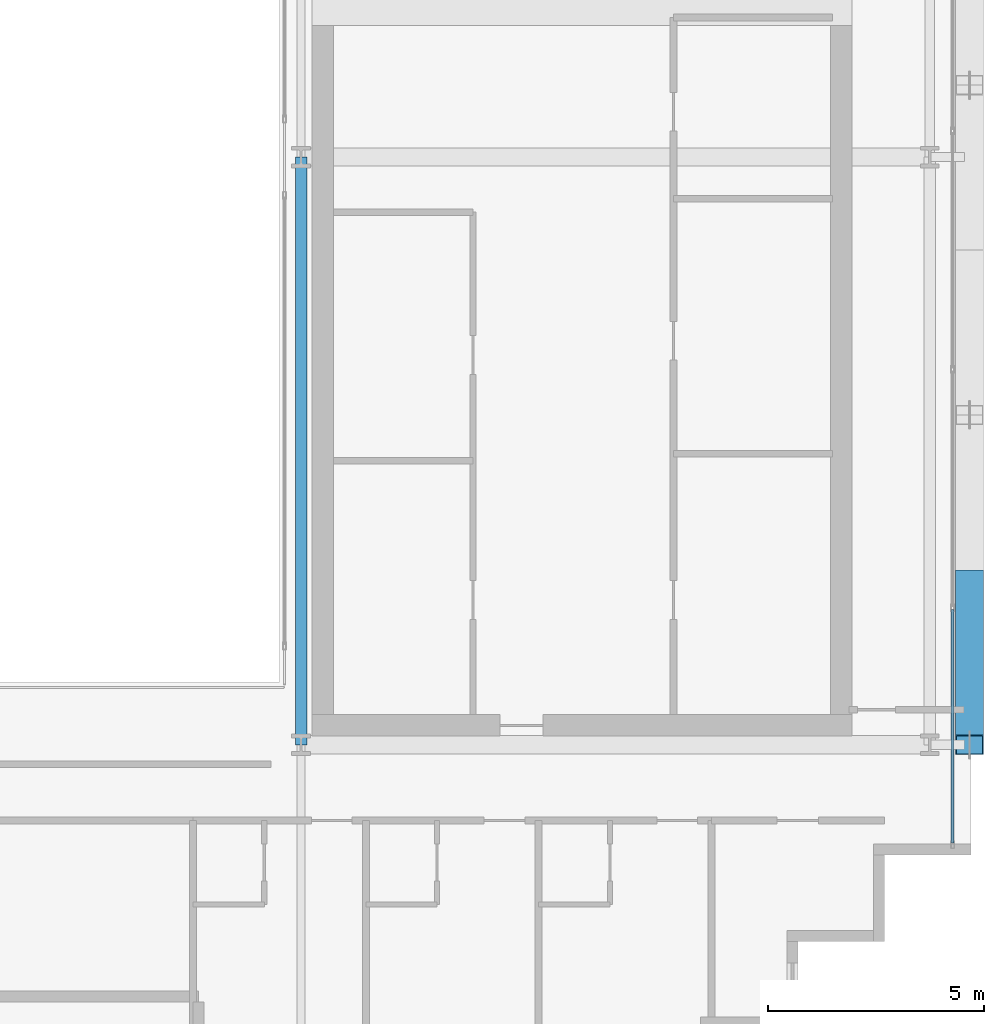
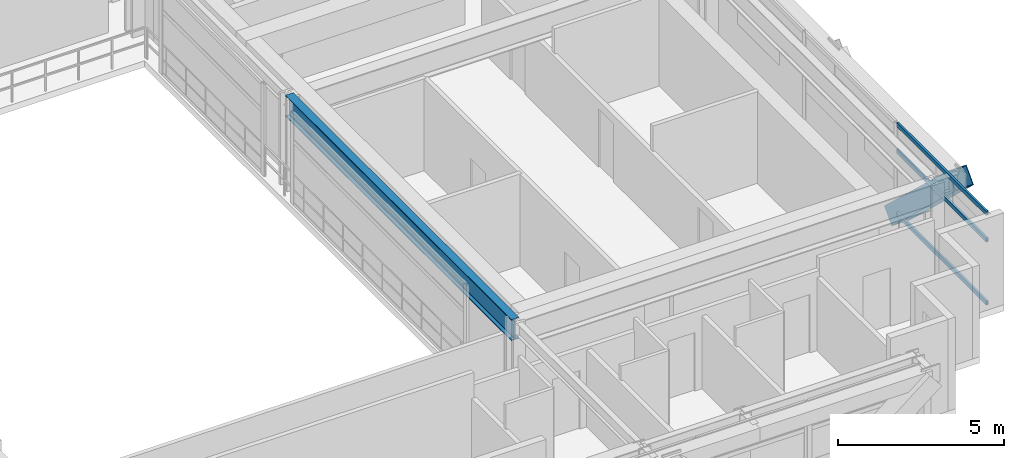
# One storey, part 14 of 38: 4 members, 1 beam, 1 element without a shape of its own.
"""IFC4 building model written with IfcOpenShell, lengths in metres."""

import ifcopenshell
import ifcopenshell.guid

model = None  # the IFC model being written
_history = None  # IfcOwnerHistory: only IFC2X3 demands one
_inside = {}  # id of a spatial element -> (the spatial element, [elements in it])
_under = {}  # id of a project, library or spatial element -> (it, [spatial elements below it])
_declared = {}  # id of a project -> (the project, [libraries it declares])
_typed = {}  # id of a type object -> (the type object, [elements of that type])
_made_of = {}  # id of a material, layer set ... -> (it, [elements and type objects made of it])


def new_model(schema):
    """Start an empty IFC model of exactly this schema.

    Asked for "IFC4X3", IfcOpenShell would pick the latest addendum, in which some entities
    have other attributes; the version numbers below select the first issue.
    IFC2X3 requires an IfcOwnerHistory on every rooted entity: one is made here for all.
    """
    global model, _history
    if schema == "IFC4X3":
        model = ifcopenshell.file(schema_version=(4, 3, 0, 0))
    else:
        model = ifcopenshell.file(schema=schema)
    _inside.clear()
    _under.clear()
    _declared.clear()
    _typed.clear()
    _made_of.clear()
    _history = None
    if model.schema == "IFC2X3":
        org = make("IfcOrganization", Name="unknown")
        user = make(
            "IfcPersonAndOrganization",
            ThePerson=make("IfcPerson", FamilyName="unknown"),
            TheOrganization=org,
        )
        app = make(
            "IfcApplication",
            ApplicationDeveloper=org,
            Version="unknown",
            ApplicationFullName="unknown",
            ApplicationIdentifier="unknown",
        )
        _history = make(
            "IfcOwnerHistory",
            OwningUser=user,
            OwningApplication=app,
            ChangeAction="ADDED",
            CreationDate=0,
        )
    return model


def make(cls, **values):
    """One entity of the class cls with the attributes given. An attribute that is None is left unset."""
    return model.create_entity(
        cls, **{name: value for name, value in values.items() if value is not None}
    )


def rooted(cls, **values):
    """An entity with a GlobalId (a new one), such as an element, a storey or a relation."""
    return make(cls, GlobalId=ifcopenshell.guid.new(), OwnerHistory=_history, **values)


def si_unit(unit_type, name, prefix=None):
    """IfcSIUnit, for example si_unit("LENGTHUNIT", "METRE", prefix="MILLI")."""
    return make("IfcSIUnit", UnitType=unit_type, Prefix=prefix, Name=name)


def assignment(units):
    """IfcUnitAssignment: the units of a project."""
    return None if units is None else make("IfcUnitAssignment", Units=units)


def point(xyz):
    """IfcCartesianPoint."""
    return None if xyz is None else make("IfcCartesianPoint", Coordinates=xyz)


def direction(xyz):
    """IfcDirection."""
    return None if xyz is None else make("IfcDirection", DirectionRatios=xyz)


def frame(location, z_axis=None, x_axis=None):
    """IfcAxis2Placement3D, a coordinate frame: its origin and axes. An axis left out is left unset."""
    return make(
        "IfcAxis2Placement3D",
        Location=point(location),
        Axis=direction(z_axis),
        RefDirection=direction(x_axis),
    )


def frame_2d(location, x_axis=None):
    """IfcAxis2Placement2D, a coordinate frame in the plane: its origin and x axis."""
    return make(
        "IfcAxis2Placement2D", Location=point(location), RefDirection=direction(x_axis)
    )


def origin():
    """The frame at (0, 0, 0) with its axes left unset."""
    return frame((0.0, 0.0, 0.0))


def origin_2d():
    """The frame at (0, 0) in the plane with its x axis left unset."""
    return frame_2d((0.0, 0.0))


def place(relative_to, where):
    """IfcLocalPlacement: puts the frame where relative to a parent placement (None: the world)."""
    return make(
        "IfcLocalPlacement", PlacementRelTo=relative_to, RelativePlacement=where
    )


def context(
    kind, dimensions, precision=None, world=None, true_north=None, identifier=None
):
    """IfcGeometricRepresentationContext, for example the 3D "Model" context."""
    return make(
        "IfcGeometricRepresentationContext",
        ContextIdentifier=identifier,
        ContextType=kind,
        CoordinateSpaceDimension=dimensions,
        Precision=precision,
        WorldCoordinateSystem=world,
        TrueNorth=true_north,
    )


def subcontext(parent, identifier, kind, view, scale=None):
    """IfcGeometricRepresentationSubContext, for example "Body" below "Model"."""
    return make(
        "IfcGeometricRepresentationSubContext",
        ContextIdentifier=identifier,
        ContextType=kind,
        ParentContext=parent,
        TargetScale=scale,
        TargetView=view,
    )


def project(units=None, contexts=None):
    """IfcProject with its units and contexts."""
    return rooted(
        "IfcProject",
        Name="project",
        RepresentationContexts=contexts,
        UnitsInContext=assignment(units),
    )


def spatial(cls, under=None, at=None, **own):
    """A site, building, storey or space (cls), placed at a placement, below another one or the project."""
    s = rooted(cls, ObjectPlacement=at, **own)
    if under is not None:
        _under.setdefault(under.id(), (under, []))[1].append(s)
    return s


def profile(cls, at=None, kind="AREA", **sizes):
    """A parametric profile (cls). Its sizes go by their IFC names, for example OverallWidth=200.0."""
    return make(cls, ProfileType=kind, Position=at, **sizes)


def hollow_rectangle(**sizes):
    """IfcRectangleHollowProfileDef."""
    return profile("IfcRectangleHollowProfileDef", **sizes)


def i_section(**sizes):
    """IfcIShapeProfileDef."""
    return profile("IfcIShapeProfileDef", **sizes)


def extrude(swept, where, along, depth):
    """IfcExtrudedAreaSolid: the profile swept, set in the frame where, extruded along a direction by depth."""
    return make(
        "IfcExtrudedAreaSolid",
        SweptArea=swept,
        Position=where,
        ExtrudedDirection=direction(along),
        Depth=depth,
    )


def shape(context_of_items, identifier, shape_type, items):
    """IfcShapeRepresentation: the items that make up one representation, for example the "Body"."""
    return make(
        "IfcShapeRepresentation",
        ContextOfItems=context_of_items,
        RepresentationIdentifier=identifier,
        RepresentationType=shape_type,
        Items=items,
    )


def source(mapping_origin, context_of_items, identifier, shape_type, items):
    """IfcRepresentationMap: a shape defined once, which mapped items show again and again."""
    return make(
        "IfcRepresentationMap",
        MappingOrigin=mapping_origin,
        MappedRepresentation=shape(context_of_items, identifier, shape_type, items),
    )


def transform(
    local_origin,
    x_axis=None,
    y_axis=None,
    z_axis=None,
    scale=None,
    scale2=None,
    scale3=None,
    uniform=True,
):
    """IfcCartesianTransformationOperator3D, or its non-uniform kind. x_axis, y_axis, z_axis: its Axis1, 2, 3."""
    if uniform:
        return make(
            "IfcCartesianTransformationOperator3D",
            Axis1=direction(x_axis),
            Axis2=direction(y_axis),
            LocalOrigin=point(local_origin),
            Scale=scale,
            Axis3=direction(z_axis),
        )
    return make(
        "IfcCartesianTransformationOperator3DnonUniform",
        Axis1=direction(x_axis),
        Axis2=direction(y_axis),
        LocalOrigin=point(local_origin),
        Scale=scale,
        Axis3=direction(z_axis),
        Scale2=scale2,
        Scale3=scale3,
    )


def mapped(mapping_source, mapping_target):
    """IfcMappedItem: shows the shape of a source again, moved by a transform."""
    return make(
        "IfcMappedItem", MappingSource=mapping_source, MappingTarget=mapping_target
    )


def material(Name=None, Category=None):
    """IfcMaterial."""
    return make("IfcMaterial", Name=Name, Category=Category)


def layer(
    of_material, thickness, ventilated=None, Name=None, Category=None, Priority=None
):
    """IfcMaterialLayer: one layer of a wall or slab, of a material (None: an air gap)."""
    return make(
        "IfcMaterialLayer",
        Material=of_material,
        LayerThickness=thickness,
        IsVentilated=ventilated,
        Name=Name,
        Category=Category,
        Priority=Priority,
    )


def layer_set(layers, Name=None):
    """IfcMaterialLayerSet."""
    return make("IfcMaterialLayerSet", MaterialLayers=layers, LayerSetName=Name)


def material_profile(
    of_material, cross_section, Name=None, Category=None, Priority=None
):
    """IfcMaterialProfile: a cross section and its material."""
    return make(
        "IfcMaterialProfile",
        Name=Name,
        Material=of_material,
        Profile=cross_section,
        Priority=Priority,
        Category=Category,
    )


def profile_set(profiles, Name=None, composite=None):
    """IfcMaterialProfileSet."""
    return make(
        "IfcMaterialProfileSet",
        Name=Name,
        MaterialProfiles=profiles,
        CompositeProfile=composite,
    )


def made_of(thing, what):
    """Note that an element or type object is made of a material, layer set ...; save() writes the relation."""
    if what is not None:
        _made_of.setdefault(what.id(), (what, []))[1].append(thing)
    return thing


def type_object(cls, material=None, **own):
    """A type object (cls), such as IfcWallType, which elements share."""
    return made_of(rooted(cls, **own), material)


def element(
    cls,
    number,
    at=None,
    inside=None,
    cuts=None,
    type_object=None,
    material=None,
    context=None,
    identifier="Body",
    shape_type=None,
    held_by="IfcProductDefinitionShape",
    body=None,
    shapes=None,
    **own,
):
    """One element of the class cls, such as IfcWall. Its Tag is "e" and its number.

    at: its placement. inside: the storey or other place that contains it. cuts: it is an
    opening in that element (IfcRelVoidsElement). A single representation is given by context,
    identifier, shape_type and body (its items); several are given by shapes. held_by: the class
    of the entity that holds the representations. save() writes the other relations.
    """
    e = rooted(cls, Tag="e%d" % number, ObjectPlacement=at, **own)
    if body is not None:
        shapes = [shape(context, identifier, shape_type, body)]
    if shapes is not None:
        e.Representation = make(held_by, Representations=shapes)
    if inside is not None:
        _inside.setdefault(inside.id(), (inside, []))[1].append(e)
    if cuts is not None:
        rooted(
            "IfcRelVoidsElement", RelatingBuildingElement=cuts, RelatedOpeningElement=e
        )
    if type_object is not None:
        _typed.setdefault(type_object.id(), (type_object, []))[1].append(e)
    return made_of(e, material)


def aggregate(whole, parts):
    """IfcRelAggregates: a whole, such as a stair, and the parts it consists of."""
    return rooted("IfcRelAggregates", RelatingObject=whole, RelatedObjects=parts)


def save(model, path):
    """Write the relations noted so far, then the file.

    IfcRelAggregates (storeys below a building ...), IfcRelContainedInSpatialStructure (elements
    in a storey), IfcRelDefinesByType, IfcRelAssociatesMaterial and IfcRelDeclares: one each for
    every whole, place, type object, material and project.
    """
    for whole, parts in _under.values():
        aggregate(whole, parts)
    for where, things in _inside.values():
        rooted(
            "IfcRelContainedInSpatialStructure",
            RelatedElements=things,
            RelatingStructure=where,
        )
    for kind, things in _typed.values():
        rooted("IfcRelDefinesByType", RelatedObjects=things, RelatingType=kind)
    for what, things in _made_of.values():
        rooted("IfcRelAssociatesMaterial", RelatedObjects=things, RelatingMaterial=what)
    for by, libraries in _declared.values():
        rooted("IfcRelDeclares", RelatingContext=by, RelatedDefinitions=libraries)
    model.write(path)


model = new_model("IFC4")

# Units and contexts
model_context = context("Model", 3, precision=1e-05, world=origin(), true_north=direction((0.0, 1.0)))
body_context = subcontext(model_context, "Body", "Model", "MODEL_VIEW")
ifc_project = project(units=[si_unit("LENGTHUNIT", "METRE"), si_unit("AREAUNIT", "SQUARE_METRE"), si_unit("VOLUMEUNIT", "CUBIC_METRE"), si_unit("PLANEANGLEUNIT", "RADIAN"), si_unit("MASSUNIT", "GRAM", prefix="KILO")], contexts=[model_context])

# Site, building, storey
site_placement = place(None, origin())
site = spatial("IfcSite", under=ifc_project, at=site_placement, CompositionType="ELEMENT")
building_placement = place(site_placement, origin())
building = spatial("IfcBuilding", under=site, at=building_placement, Name="Ocotamira Hotel", CompositionType="ELEMENT")
storey_placement = place(building_placement, frame((0.0, 0.0, 170.39990234375)))
storey = spatial("IfcBuildingStorey", under=building, at=storey_placement, Name="L42", CompositionType="ELEMENT", Elevation=170.39990234375)

# Beam
ifc_material_1 = material(Name="Steel ASTM A992 Grade 50", Category="steel")
ifc_material_profile_1 = material_profile(ifc_material_1, i_section(OverallWidth=0.26611328125, OverallDepth=0.779052734375, WebThickness=0.0166015625, FlangeThickness=0.030029296875, FilletRadius=0.01806640625, at=origin_2d()), Name="W30X148")
ifc_profile_set_1 = profile_set([ifc_material_profile_1], Name="Steel ASTM A992 Grade 50")
beam_type = type_object("IfcBeamType", Name="BM-GIRD-W30X148", PredefinedType="BEAM", material=ifc_profile_set_1)
shared_shape_1 = source(origin(), body_context, "Body", "SweptSolid", [
    extrude(i_section(OverallWidth=0.26611328125, OverallDepth=0.779052734375, WebThickness=0.0166015625, FlangeThickness=0.030029296875, FilletRadius=0.01806640625, at=origin_2d()), origin(), (0.0, 0.0, 1.0), 13.599853515625),
])
beam_placement = place(storey_placement, frame((40.5, 14.550048828125, 2.980712890625), z_axis=(0.0, 1.0, 0.0), x_axis=(-1.0, 0.0, 0.0)))
element("IfcBeam", 1, at=beam_placement, inside=storey, type_object=beam_type, Name="L42 Beam X40.5 Y14.55-28.15", PredefinedType="BEAM", context=body_context, shape_type="MappedRepresentation", body=[
    mapped(shared_shape_1, transform((0.0, 0.0, 0.0), scale=1.0)),
])

# Member
ifc_material_2 = material(Name="Pale-metal coated steel ASTM A913 Grade 65", Category="steel")
ifc_material_profile_2 = material_profile(ifc_material_2, hollow_rectangle(XDim=0.64990234375, YDim=0.64990234375, WallThickness=0.02197265625, at=origin_2d()), Name="BOX650X650X22")
ifc_profile_set_2 = profile_set([ifc_material_profile_2], Name="Pale-metal coated steel ASTM A913 Grade 65")
member_type_1 = type_object("IfcMemberType", Name="MEM-EXO-BOX650", PredefinedType="BRACE", material=ifc_profile_set_2)
shared_shape_2 = source(origin(), body_context, "Body", "SweptSolid", [
    extrude(hollow_rectangle(XDim=0.64990234375, YDim=0.64990234375, WallThickness=0.02197265625, at=origin_2d()), origin(), (0.0, 0.0, 1.0), 5.24658203125),
])
member_1_placement = place(storey_placement, frame((55.969970703125, 18.36669921875, -0.47998046875), z_axis=(0.0, -0.727442733726, 0.686168397078), x_axis=(1.0, 0.0, 0.0)))
element("IfcMember", 2, at=member_1_placement, inside=storey, type_object=member_type_1, Name="L42 Exoskeleton Diagrid E0.1", PredefinedType="BRACE", context=body_context, shape_type="MappedRepresentation", body=[
    mapped(shared_shape_2, transform((0.0, 0.0, 0.0), scale=1.0)),
])

# Curtain wall, members
ifc_material_3 = material(Name="Anodised pale-metal aluminium and solar glass", Category="aluminium")
ifc_layer = layer(ifc_material_3, 0.199951171875)
ifc_layer_set = layer_set([ifc_layer], Name="Anodised pale-metal aluminium and solar glass")
curtain_wall_type = type_object("IfcCurtainWallType", Name="CW-SYS4-Z3", PredefinedType="NOTDEFINED", material=ifc_layer_set)
curtain_wall_placement = place(storey_placement, origin())
curtain_wall = element("IfcCurtainWall", 3, at=curtain_wall_placement, inside=storey, type_object=curtain_wall_type, Name="L42 Curtain Wall CW-4 CW-L42-E", PredefinedType="NOTDEFINED")
ifc_material_4 = material(Name="Anodised pale-metal aluminium 6063-T6", Category="aluminium")
ifc_material_profile_3 = material_profile(ifc_material_4, hollow_rectangle(XDim=0.074951171875, YDim=0.14990234375, WallThickness=0.006103515625, at=origin_2d()), Name="HSS150X75X6")
ifc_profile_set_3 = profile_set([ifc_material_profile_3], Name="Anodised pale-metal aluminium 6063-T6")
member_type_2 = type_object("IfcMemberType", Name="CWT-150X75", PredefinedType="USERDEFINED", material=ifc_profile_set_3)
shared_shape_3 = source(origin(), body_context, "Body", "SweptSolid", [
    extrude(hollow_rectangle(XDim=0.074951171875, YDim=0.14990234375, WallThickness=0.006103515625, at=origin_2d()), origin(), (0.0, 0.0, 1.0), 5.39990234375),
])
member_2_placement = place(storey_placement, frame((55.580078125, 12.280029296875, 0.03759765625), z_axis=(0.0, 1.0, 0.0), x_axis=(-1.0, 0.0, 0.0)))
member_2 = element("IfcMember", 4, at=member_2_placement, type_object=member_type_2, Name="CW-4 transom 1.1", ObjectType="TRANSOM", PredefinedType="USERDEFINED", context=body_context, shape_type="MappedRepresentation", body=[
    mapped(shared_shape_3, transform((0.0, 0.0, 0.0), scale=1.0)),
])
member_3_placement = place(storey_placement, frame((55.580078125, 12.280029296875, 2.35009765625), z_axis=(0.0, 1.0, 0.0), x_axis=(-1.0, 0.0, 0.0)))
member_3 = element("IfcMember", 5, at=member_3_placement, type_object=member_type_2, Name="CW-4 transom 1.2", ObjectType="TRANSOM", PredefinedType="USERDEFINED", context=body_context, shape_type="MappedRepresentation", body=[
    mapped(shared_shape_3, transform((0.0, 0.0, 0.0), scale=1.0)),
])
member_4_placement = place(storey_placement, frame((55.580078125, 12.280029296875, 3.33251953125), z_axis=(0.0, 1.0, 0.0), x_axis=(-1.0, 0.0, 0.0)))
member_4 = element("IfcMember", 6, at=member_4_placement, type_object=member_type_2, Name="CW-4 transom 1.3", ObjectType="TRANSOM", PredefinedType="USERDEFINED", context=body_context, shape_type="MappedRepresentation", body=[
    mapped(shared_shape_3, transform((0.0, 0.0, 0.0), scale=1.0)),
])
aggregate(curtain_wall, [member_2, member_3, member_4])

save(model, "model.ifc")
